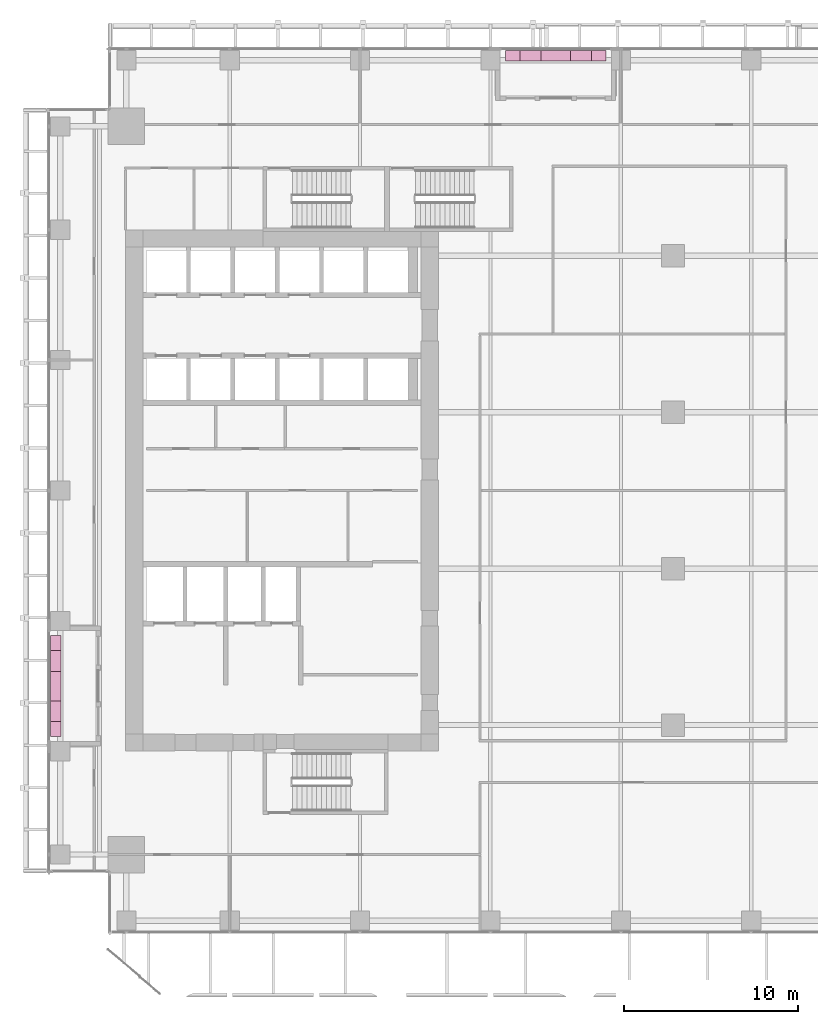
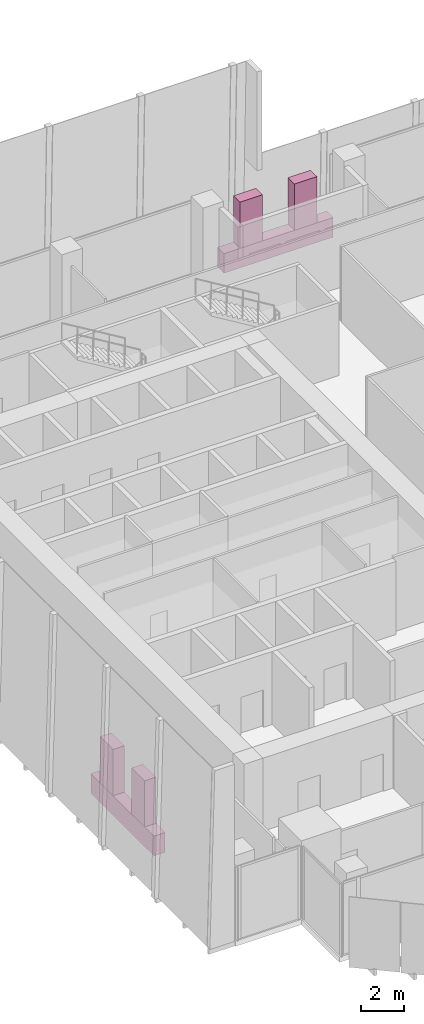
# One storey, part 34 of 34: 6 furnishings.
"""IFC4 building model written with IfcOpenShell, lengths in metres."""

from ifc_helpers import new_model, si_unit, direction, frame, origin, origin_2d, place, context, subcontext, project, spatial, rectangle, extrude, source, transform, mapped, material, type_object, element, save


model = new_model("IFC4")

# Units and contexts
model_context = context("Model", 3, precision=1e-05, world=origin(), true_north=direction((0.0, 1.0)))
body_context = subcontext(model_context, "Body", "Model", "MODEL_VIEW")
ifc_project = project(units=[si_unit("LENGTHUNIT", "METRE"), si_unit("AREAUNIT", "SQUARE_METRE"), si_unit("VOLUMEUNIT", "CUBIC_METRE"), si_unit("PLANEANGLEUNIT", "RADIAN"), si_unit("MASSUNIT", "GRAM", prefix="KILO")], contexts=[model_context])

# Site, building, storey
site_placement = place(None, origin())
site = spatial("IfcSite", under=ifc_project, at=site_placement, CompositionType="ELEMENT")
building_placement = place(site_placement, origin())
building = spatial("IfcBuilding", under=site, at=building_placement, Name="Khomas Fold Tower", CompositionType="ELEMENT")
storey_placement = place(building_placement, frame((0.0, 0.0, 154.300048828125)))
storey = spatial("IfcBuildingStorey", under=building, at=storey_placement, Name="L33", CompositionType="ELEMENT", Elevation=154.300048828125)

# Furnishings
ifc_material_1 = material(Name="Precast concrete C40/50", Category="concrete")
furnishing_element_type_1 = type_object("IfcFurnishingElementType", Name="BL-Structural planter box", material=ifc_material_1)
shared_shape_1 = source(origin(), body_context, "Body", "SweptSolid", [
    extrude(rectangle(XDim=5.800048828125, YDim=0.60009765625, at=origin_2d()), origin(), (0.0, 0.0, 1.0), 1.10009765625),
])
for number, where, z_axis, x_axis, name in (
    (1, (2.0, 15.75, -0.045166015625), (0.0, 0.0, 1.0), (0.0, 1.0, 0.0), "PLANTER BAL-L33-W1"),
    (2, (30.75, 52.0, -0.045166015625), (0.0, 0.0, 1.0), (1.0, 0.0, 0.0), "PLANTER BAL-L33-N3"),
):
    element("IfcFurnishingElement", number, at=place(storey_placement, frame(where, z_axis=z_axis, x_axis=x_axis)), inside=storey, type_object=furnishing_element_type_1, Name=name, context=body_context, shape_type="MappedRepresentation", body=[
        mapped(shared_shape_1, transform((0.0, 0.0, 0.0))),
    ])
ifc_material_2 = material(Name="Planting")
furnishing_element_type_2 = type_object("IfcFurnishingElementType", Name="BL-Tree Karee", material=ifc_material_2)
shared_shape_2 = source(origin(), body_context, "Body", "SweptSolid", [
    extrude(rectangle(XDim=1.199951171875, YDim=0.60009765625, at=origin_2d()), origin(), (0.0, 0.0, 1.0), 2.594970703125),
])
furnishing_1_placement = place(storey_placement, frame((2.0, 14.300048828125, 1.05517578125), z_axis=(0.0, 0.0, 1.0), x_axis=(0.0, 1.0, 0.0)))
element("IfcFurnishingElement", 3, at=furnishing_1_placement, inside=storey, type_object=furnishing_element_type_2, Name="PLANTER (TREE) Karee BAL-L33-W1-1", context=body_context, shape_type="MappedRepresentation", body=[
    mapped(shared_shape_2, transform((0.0, 0.0, 0.0))),
])
ifc_material_3 = material(Name="Planting")
furnishing_element_type_3 = type_object("IfcFurnishingElementType", Name="BL-Tree Wild olive", material=ifc_material_3)
for number, where, z_axis, x_axis, name in (
    (4, (2.0, 17.199951171875, 1.05517578125), (0.0, 0.0, 1.0), (0.0, 1.0, 0.0), "PLANTER (TREE) Wild olive BAL-L33-W1-2"),
    (5, (29.300048828125, 52.0, 1.05517578125), (0.0, 0.0, 1.0), (1.0, 0.0, 0.0), "PLANTER (TREE) Wild olive BAL-L33-N3-1"),
):
    element("IfcFurnishingElement", number, at=place(storey_placement, frame(where, z_axis=z_axis, x_axis=x_axis)), inside=storey, type_object=furnishing_element_type_3, Name=name, context=body_context, shape_type="MappedRepresentation", body=[
        mapped(shared_shape_2, transform((0.0, 0.0, 0.0))),
    ])
ifc_material_4 = material(Name="Planting")
furnishing_element_type_4 = type_object("IfcFurnishingElementType", Name="BL-Tree Shepherd's tree", material=ifc_material_4)
furnishing_2_placement = place(storey_placement, frame((32.199951171875, 52.0, 1.05517578125), z_axis=(0.0, 0.0, 1.0), x_axis=(1.0, 0.0, 0.0)))
element("IfcFurnishingElement", 6, at=furnishing_2_placement, inside=storey, type_object=furnishing_element_type_4, Name="PLANTER (TREE) Shepherd's tree BAL-L33-N3-2", context=body_context, shape_type="MappedRepresentation", body=[
    mapped(shared_shape_2, transform((0.0, 0.0, 0.0))),
])

save(model, "model.ifc")
